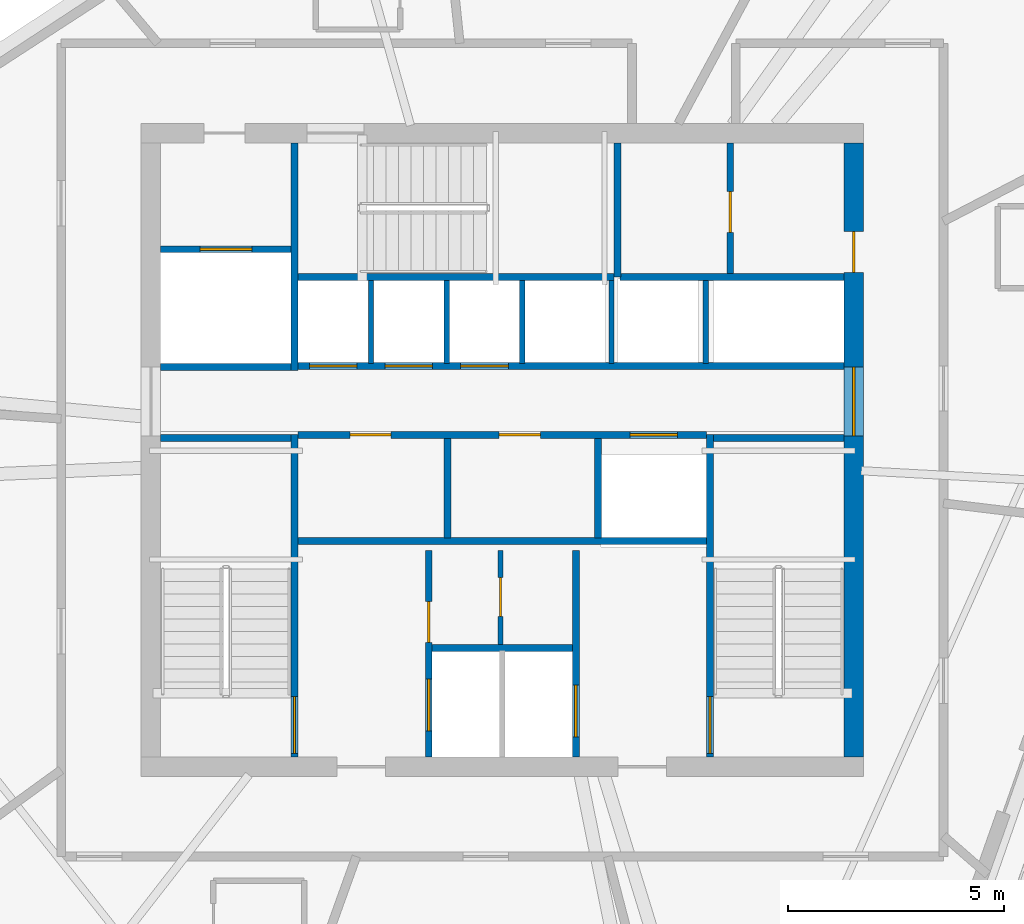
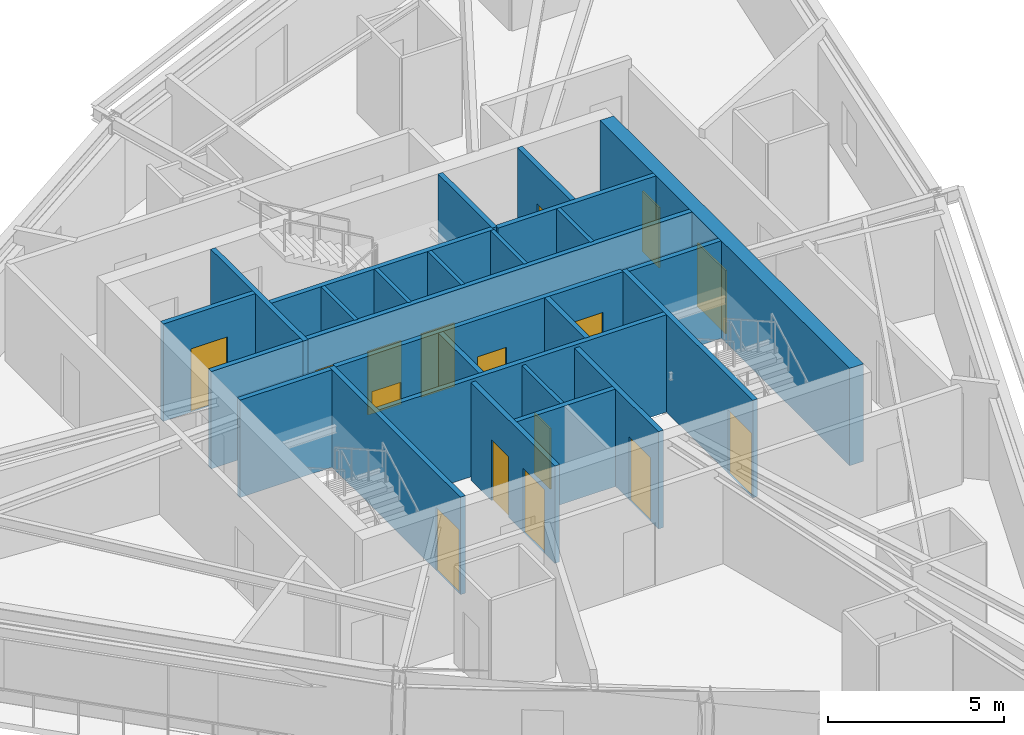
# One storey, part 8 of 13: 26 walls, 16 doors, 16 openings.
"""IFC4 building model written with IfcOpenShell, lengths in metres."""

from ifc_helpers import new_model, si_unit, direction, frame, frame_2d, origin, place, context, subcontext, project, spatial, rectangle, extrude, source, transform, mapped, material, layer, layer_set, type_object, type_shapes, element, fill, save


model = new_model("IFC4")

# Units and contexts
model_context = context("Model", 3, precision=1e-05, world=origin(), true_north=direction((0.0, 1.0)))
body_context = subcontext(model_context, "Body", "Model", "MODEL_VIEW")
ifc_project = project(units=[si_unit("LENGTHUNIT", "METRE"), si_unit("AREAUNIT", "SQUARE_METRE"), si_unit("VOLUMEUNIT", "CUBIC_METRE"), si_unit("PLANEANGLEUNIT", "RADIAN"), si_unit("MASSUNIT", "GRAM", prefix="KILO")], contexts=[model_context])

# Site, building, storey
site_placement = place(None, origin())
site = spatial("IfcSite", under=ifc_project, at=site_placement, CompositionType="ELEMENT")
building_placement = place(site_placement, origin())
building = spatial("IfcBuilding", under=site, at=building_placement, Name="Olszyna Solenne Hotel", CompositionType="ELEMENT")
storey_placement = place(building_placement, frame((0.0, 0.0, 248.89990234375)))
storey = spatial("IfcBuildingStorey", under=building, at=storey_placement, Name="L66", CompositionType="ELEMENT", Elevation=248.89990234375)

# Wall, openings, doors
ifc_material_1 = material(Name="Concrete C50/60", Category="concrete")
ifc_layer_1 = layer(ifc_material_1, 0.449951171875, Name="Concrete C50/60")
ifc_layer_set_1 = layer_set([ifc_layer_1], Name="Concrete C50/60")
wall_type_1 = type_object("IfcWallType", Name="WL-CR450", PredefinedType="SHEAR", material=ifc_layer_set_1)
wall_1_placement = place(storey_placement, frame((46.125, 33.699951171875, 0.0), z_axis=(0.0, 0.0, 1.0), x_axis=(0.0, -1.0, 0.0)))
wall_1 = element("IfcWall", 1, at=wall_1_placement, inside=storey, type_object=wall_type_1, Name="Core shear wall WL-CR450 CRW-L66-E", PredefinedType="SHEAR", context=body_context, shape_type="SweptSolid", body=[
    extrude(rectangle(XDim=14.199951171875, YDim=0.449951171875, at=frame_2d((7.10009765625, 0.0))), origin(), (0.0, 0.0, 1.0), 3.380126953125),
])
opening_1_placement = place(wall_1_placement, frame((5.179931640625, 0.0, 0.0)))
opening_1 = element("IfcOpeningElement", 2, at=opening_1_placement, cuts=wall_1, Name="Opening LHD-L66-E", PredefinedType="OPENING", context=body_context, shape_type="SweptSolid", body=[
    extrude(rectangle(XDim=1.60009765625, YDim=2.199951171875, at=frame_2d((0.800048828125, 1.10009765625))), frame((0.0, 0.23486328125, 0.0), z_axis=(0.0, -1.0, 0.0), x_axis=(1.0, 0.0, 0.0)), (0.0, 0.0, 1.0), 0.469970703125),
])
opening_2_placement = place(wall_1_placement, frame((2.050048828125, 0.0, 0.0)))
opening_2 = element("IfcOpeningElement", 3, at=opening_2_placement, cuts=wall_1, Name="Opening SVD-L66-BE", PredefinedType="OPENING", context=body_context, shape_type="SweptSolid", body=[
    extrude(rectangle(XDim=0.949951171875, YDim=2.10009765625, at=frame_2d((0.47509765625, 1.050048828125))), frame((0.0, 0.23486328125, 0.0), z_axis=(0.0, -1.0, 0.0), x_axis=(1.0, 0.0, 0.0)), (0.0, 0.0, 1.0), 0.469970703125),
])
ifc_material_2 = material(Name="Steel S355J2", Category="steel")
door_type_1 = type_object("IfcDoorType", Name="DR-SV1", OperationType="NOTDEFINED", PredefinedType="DOOR", material=ifc_material_2)
shared_shape_1 = source(origin(), body_context, "Body", "SweptSolid", [
    extrude(rectangle(XDim=0.949951171875, YDim=2.10009765625, at=frame_2d((0.47509765625, 1.050048828125))), frame((0.0, 0.02490234375, 0.0), z_axis=(0.0, -1.0, 0.0), x_axis=(1.0, 0.0, 0.0)), (0.0, 0.0, 1.0), 0.050048828125),
])
type_shapes(door_type_1, [shared_shape_1])
door_1_placement = place(opening_2_placement, origin())
door_1 = element("IfcDoor", 4, at=door_1_placement, inside=storey, type_object=door_type_1, Name="Housekeeping core fire door SVD-L66-BE", OperationType="SINGLE_SWING_RIGHT", OverallHeight=2.10009765625, OverallWidth=0.949951171875, PredefinedType="DOOR", context=body_context, shape_type="MappedRepresentation", body=[
    mapped(shared_shape_1, transform((0.0, 0.0, 0.0), x_axis=(1.0, 0.0, 0.0), y_axis=(0.0, 1.0, 0.0), z_axis=(0.0, 0.0, 1.0), scale=1.0)),
])
fill(opening_2, door_1)
ifc_material_3 = material(Name="Timber hardwood", Category="wood")
door_type_2 = type_object("IfcDoorType", Name="DR-CR1", OperationType="DOUBLE_DOOR_SINGLE_SWING", PredefinedType="DOOR", material=ifc_material_3)
shared_shape_2 = source(origin(), body_context, "Body", "SweptSolid", [
    extrude(rectangle(XDim=1.60009765625, YDim=2.199951171875, at=frame_2d((0.800048828125, 1.10009765625))), frame((0.0, 0.02490234375, 0.0), z_axis=(0.0, -1.0, 0.0), x_axis=(1.0, 0.0, 0.0)), (0.0, 0.0, 1.0), 0.050048828125),
])
type_shapes(door_type_2, [shared_shape_2])
door_2_placement = place(opening_1_placement, origin())
door_2 = element("IfcDoor", 5, at=door_2_placement, inside=storey, type_object=door_type_2, Name="Passenger lift lobby East fire door LHD-L66-E", OperationType="DOUBLE_DOOR_SINGLE_SWING", OverallHeight=2.199951171875, OverallWidth=1.60009765625, PredefinedType="DOOR", context=body_context, shape_type="MappedRepresentation", body=[
    mapped(shared_shape_2, transform((0.0, 0.0, 0.0), x_axis=(1.0, 0.0, 0.0), y_axis=(0.0, 1.0, 0.0), z_axis=(0.0, 0.0, 1.0), scale=1.0)),
])
fill(opening_1, door_2)

# Wall, opening, door
ifc_material_4 = material(Name="Acoustic gypsum partition", Category="gypsum")
ifc_layer_2 = layer(ifc_material_4, 0.125, Name="Acoustic gypsum partition")
ifc_layer_set_2 = layer_set([ifc_layer_2], Name="Acoustic gypsum partition")
wall_type_2 = type_object("IfcWallType", Name="WL-PT125", PredefinedType="PARTITIONING", material=ifc_layer_set_2)
wall_2_placement = place(storey_placement, frame((37.9599609375, 22.10009765625, 0.0), z_axis=(0.0, 0.0, 1.0), x_axis=(0.0, 1.0, 0.0)))
wall_2 = element("IfcWall", 6, at=wall_2_placement, inside=storey, type_object=wall_type_2, Name="Core shaft compartment wall CW-L66-SC1", PredefinedType="PARTITIONING", context=body_context, shape_type="SweptSolid", body=[
    extrude(rectangle(XDim=2.179931640625, YDim=0.125, at=frame_2d((1.08984375, 0.0))), origin(), (0.0, 0.0, 1.0), 3.380126953125),
])
opening_3_placement = place(wall_2_placement, frame((0.64990234375, 0.0, 0.0)))
opening_3 = element("IfcOpeningElement", 7, at=opening_3_placement, cuts=wall_2, Name="Opening SVD-L66-SC1", PredefinedType="OPENING", context=body_context, shape_type="SweptSolid", body=[
    extrude(rectangle(XDim=0.89990234375, YDim=2.10009765625, at=frame_2d((0.449951171875, 1.050048828125))), frame((0.0, 0.072509765625, 0.0), z_axis=(0.0, -1.0, 0.0), x_axis=(1.0, 0.0, 0.0)), (0.0, 0.0, 1.0), 0.14501953125),
])
door_type_3 = type_object("IfcDoorType", Name="DR-WC1", OperationType="NOTDEFINED", PredefinedType="DOOR", material=ifc_material_3)
shared_shape_3 = source(origin(), body_context, "Body", "SweptSolid", [
    extrude(rectangle(XDim=0.89990234375, YDim=2.10009765625, at=frame_2d((0.449951171875, 1.050048828125))), frame((0.0, 0.02490234375, 0.0), z_axis=(0.0, -1.0, 0.0), x_axis=(1.0, 0.0, 0.0)), (0.0, 0.0, 1.0), 0.050048828125),
])
type_shapes(door_type_3, [shared_shape_3])
door_3_placement = place(opening_3_placement, origin())
door_3 = element("IfcDoor", 8, at=door_3_placement, inside=storey, type_object=door_type_3, Name="Pantry locker door SVD-L66-SC1", OperationType="SINGLE_SWING_LEFT", OverallHeight=2.10009765625, OverallWidth=0.89990234375, PredefinedType="DOOR", context=body_context, shape_type="MappedRepresentation", body=[
    mapped(shared_shape_3, transform((0.0, 0.0, 0.0), x_axis=(1.0, 0.0, 0.0), y_axis=(0.0, 1.0, 0.0), z_axis=(0.0, 0.0, 1.0), scale=1.0)),
])
fill(opening_3, door_3)

# Walls
for number, where, z_axis, x_axis, name in (
    (9, (34.965087890625, 28.60009765625, 0.0), (0.0, 0.0, 1.0), (0.0, 1.0, 0.0), "Core shaft compartment wall CW-L66-DIVN349"),
    (10, (36.715087890625, 28.60009765625, 0.0), (0.0, 0.0, 1.0), (0.0, 1.0, 0.0), "Core shaft compartment wall CW-L66-DIVN367"),
    (11, (38.465087890625, 28.60009765625, 0.0), (0.0, 0.0, 1.0), (0.0, 1.0, 0.0), "Core shaft compartment wall CW-L66-DIVN384"),
    (12, (40.52490234375, 28.60009765625, 0.0), (0.0, 0.0, 1.0), (0.0, 1.0, 0.0), "Core shaft compartment wall CW-L66-DIVEX405"),
    (13, (42.699951171875, 28.60009765625, 0.0), (0.0, 0.0, 1.0), (0.0, 1.0, 0.0), "Core shaft compartment wall CW-L66-DIVEX427"),
):
    element("IfcWall", number, at=place(storey_placement, frame(where, z_axis=z_axis, x_axis=x_axis)), inside=storey, type_object=wall_type_2, Name=name, PredefinedType="PARTITIONING", context=body_context, shape_type="SweptSolid", body=[
        extrude(rectangle(XDim=1.919921875, YDim=0.125, at=frame_2d((0.9599609375, 0.0))), origin(), (0.0, 0.0, 1.0), 3.380126953125),
    ])

# Wall, opening, door
ifc_layer_3 = layer(ifc_material_4, 0.159912109375, Name="Acoustic gypsum partition")
ifc_layer_set_3 = layer_set([ifc_layer_3], Name="Acoustic gypsum partition")
wall_type_3 = type_object("IfcWallType", Name="WL-PT160", PredefinedType="PARTITIONING", material=ifc_layer_set_3)
wall_3_placement = place(storey_placement, frame((33.199951171875, 19.5, 0.0), z_axis=(0.0, 0.0, 1.0), x_axis=(0.0, 1.0, 0.0)))
wall_3 = element("IfcWall", 14, at=wall_3_placement, inside=storey, type_object=wall_type_3, Name="Core shaft compartment wall CW-L66-ST1E", PredefinedType="PARTITIONING", context=body_context, shape_type="SweptSolid", body=[
    extrude(rectangle(XDim=7.4599609375, YDim=0.159912109375, at=frame_2d((3.72998046875, 0.0))), origin(), (0.0, 0.0, 1.0), 3.380126953125),
])
opening_4_placement = place(wall_3_placement, frame((0.080078125, 0.0, 0.0)))
opening_4 = element("IfcOpeningElement", 15, at=opening_4_placement, cuts=wall_3, Name="Opening STD-L66-01", PredefinedType="OPENING", context=body_context, shape_type="SweptSolid", body=[
    extrude(rectangle(XDim=1.320068359375, YDim=2.199951171875, at=frame_2d((0.66015625, 1.10009765625))), frame((0.0, 0.08984375, 0.0), z_axis=(0.0, -1.0, 0.0), x_axis=(1.0, 0.0, 0.0)), (0.0, 0.0, 1.0), 0.179931640625),
])
door_type_4 = type_object("IfcDoorType", Name="DR-ST1", OperationType="NOTDEFINED", PredefinedType="DOOR", material=ifc_material_2)
shared_shape_4 = source(origin(), body_context, "Body", "SweptSolid", [
    extrude(rectangle(XDim=1.320068359375, YDim=2.199951171875, at=frame_2d((0.66015625, 1.10009765625))), frame((0.0, 0.02490234375, 0.0), z_axis=(0.0, -1.0, 0.0), x_axis=(1.0, 0.0, 0.0)), (0.0, 0.0, 1.0), 0.050048828125),
])
type_shapes(door_type_4, [shared_shape_4])
door_4_placement = place(opening_4_placement, origin())
door_4 = element("IfcDoor", 16, at=door_4_placement, inside=storey, type_object=door_type_4, Name="Pressurised exit stair ST1 fire door STD-L66-01", OperationType="SINGLE_SWING_LEFT", OverallHeight=2.199951171875, OverallWidth=1.320068359375, PredefinedType="DOOR", context=body_context, shape_type="MappedRepresentation", body=[
    mapped(shared_shape_4, transform((0.0, 0.0, 0.0), x_axis=(1.0, 0.0, 0.0), y_axis=(0.0, 1.0, 0.0), z_axis=(0.0, 0.0, 1.0), scale=1.0)),
])
fill(opening_4, door_4)

# Wall
wall_4_placement = place(storey_placement, frame((30.10009765625, 26.8798828125, 0.0), z_axis=(0.0, 0.0, 1.0), x_axis=(1.0, 0.0, 0.0)))
element("IfcWall", 17, at=wall_4_placement, inside=storey, type_object=wall_type_3, Name="Core shaft compartment wall CW-L66-ST1N", PredefinedType="PARTITIONING", context=body_context, shape_type="SweptSolid", body=[
    extrude(rectangle(XDim=3.02001953125, YDim=0.159912109375, at=frame_2d((1.510009765625, 0.0))), origin(), (0.0, 0.0, 1.0), 3.380126953125),
])

# Wall, opening, door
wall_5_placement = place(storey_placement, frame((42.800048828125, 26.9599609375, 0.0), z_axis=(0.0, 0.0, 1.0), x_axis=(0.0, -1.0, 0.0)))
wall_5 = element("IfcWall", 18, at=wall_5_placement, inside=storey, type_object=wall_type_3, Name="Core shaft compartment wall CW-L66-ST2W", PredefinedType="PARTITIONING", context=body_context, shape_type="SweptSolid", body=[
    extrude(rectangle(XDim=7.4599609375, YDim=0.159912109375, at=frame_2d((3.72998046875, 0.0))), origin(), (0.0, 0.0, 1.0), 3.380126953125),
])
opening_5_placement = place(wall_5_placement, frame((6.06005859375, 0.0, 0.0)))
opening_5 = element("IfcOpeningElement", 19, at=opening_5_placement, cuts=wall_5, Name="Opening STD-L66-02", PredefinedType="OPENING", context=body_context, shape_type="SweptSolid", body=[
    extrude(rectangle(XDim=1.320068359375, YDim=2.199951171875, at=frame_2d((0.66015625, 1.10009765625))), frame((0.0, 0.08984375, 0.0), z_axis=(0.0, -1.0, 0.0), x_axis=(1.0, 0.0, 0.0)), (0.0, 0.0, 1.0), 0.179931640625),
])
door_5_placement = place(opening_5_placement, origin())
door_5 = element("IfcDoor", 20, at=door_5_placement, inside=storey, type_object=door_type_4, Name="Pressurised exit stair ST2 fire door STD-L66-02", OperationType="SINGLE_SWING_RIGHT", OverallHeight=2.199951171875, OverallWidth=1.320068359375, PredefinedType="DOOR", context=body_context, shape_type="MappedRepresentation", body=[
    mapped(shared_shape_4, transform((0.0, 0.0, 0.0), x_axis=(1.0, 0.0, 0.0), y_axis=(0.0, 1.0, 0.0), z_axis=(0.0, 0.0, 1.0), scale=1.0)),
])
fill(opening_5, door_5)

# Walls
wall_6_placement = place(storey_placement, frame((42.8798828125, 26.8798828125, 0.0), z_axis=(0.0, 0.0, 1.0), x_axis=(1.0, 0.0, 0.0)))
element("IfcWall", 21, at=wall_6_placement, inside=storey, type_object=wall_type_3, Name="Core shaft compartment wall CW-L66-ST2N", PredefinedType="PARTITIONING", context=body_context, shape_type="SweptSolid", body=[
    extrude(rectangle(XDim=3.02001953125, YDim=0.159912109375, at=frame_2d((1.510009765625, 0.0))), origin(), (0.0, 0.0, 1.0), 3.380126953125),
])
wall_7_placement = place(storey_placement, frame((33.280029296875, 30.60009765625, 0.0), z_axis=(0.0, 0.0, 1.0), x_axis=(1.0, 0.0, 0.0)))
element("IfcWall", 22, at=wall_7_placement, inside=storey, type_object=wall_type_3, Name="Core shaft compartment wall CW-L66-ST3S", PredefinedType="PARTITIONING", context=body_context, shape_type="SweptSolid", body=[
    extrude(rectangle(XDim=7.300048828125, YDim=0.159912109375, at=frame_2d((3.64990234375, 0.0))), origin(), (0.0, 0.0, 1.0), 3.380126953125),
])
wall_8_placement = place(storey_placement, frame((40.659912109375, 30.60009765625, 0.0), z_axis=(0.0, 0.0, 1.0), x_axis=(0.0, 1.0, 0.0)))
element("IfcWall", 23, at=wall_8_placement, inside=storey, type_object=wall_type_3, Name="Core shaft compartment wall CW-L66-ST3E", PredefinedType="PARTITIONING", context=body_context, shape_type="SweptSolid", body=[
    extrude(rectangle(XDim=3.099853515625, YDim=0.159912109375, at=frame_2d((1.5498046875, 0.0))), origin(), (0.0, 0.0, 1.0), 3.380126953125),
])

# Wall, openings, doors
wall_9_placement = place(storey_placement, frame((36.300048828125, 19.5, 0.0), z_axis=(0.0, 0.0, 1.0), x_axis=(0.0, 1.0, 0.0)))
wall_9 = element("IfcWall", 24, at=wall_9_placement, inside=storey, type_object=wall_type_3, Name="Core shaft compartment wall CW-L66-FF1W", PredefinedType="PARTITIONING", context=body_context, shape_type="SweptSolid", body=[
    extrude(rectangle(XDim=4.780029296875, YDim=0.159912109375, at=frame_2d((2.39013671875, 0.0))), origin(), (0.0, 0.0, 1.0), 3.380126953125),
])
opening_6_placement = place(wall_9_placement, frame((0.60009765625, 0.0, 0.0)))
opening_6 = element("IfcOpeningElement", 25, at=opening_6_placement, cuts=wall_9, Name="Opening LD-L66-FF1", PredefinedType="OPENING", context=body_context, shape_type="SweptSolid", body=[
    extrude(rectangle(XDim=1.199951171875, YDim=2.199951171875, at=frame_2d((0.60009765625, 1.10009765625))), frame((0.0, 0.08984375, 0.0), z_axis=(0.0, -1.0, 0.0), x_axis=(1.0, 0.0, 0.0)), (0.0, 0.0, 1.0), 0.179931640625),
])
opening_7_placement = place(wall_9_placement, frame((2.64990234375, 0.0, 0.0)))
opening_7 = element("IfcOpeningElement", 26, at=opening_7_placement, cuts=wall_9, Name="Opening SVD-L66-SMK", PredefinedType="OPENING", context=body_context, shape_type="SweptSolid", body=[
    extrude(rectangle(XDim=0.949951171875, YDim=2.10009765625, at=frame_2d((0.47509765625, 1.050048828125))), frame((0.0, 0.08984375, 0.0), z_axis=(0.0, -1.0, 0.0), x_axis=(1.0, 0.0, 0.0)), (0.0, 0.0, 1.0), 0.179931640625),
])
door_6_placement = place(opening_7_placement, origin())
door_6 = element("IfcDoor", 27, at=door_6_placement, inside=storey, type_object=door_type_1, Name="Valet and core service room door SVD-L66-SMK", OperationType="SINGLE_SWING_LEFT", OverallHeight=2.10009765625, OverallWidth=0.949951171875, PredefinedType="DOOR", context=body_context, shape_type="MappedRepresentation", body=[
    mapped(shared_shape_1, transform((0.0, 0.0, 0.0), x_axis=(1.0, 0.0, 0.0), y_axis=(0.0, 1.0, 0.0), z_axis=(0.0, 0.0, 1.0), scale=1.0)),
])
fill(opening_7, door_6)
door_type_5 = type_object("IfcDoorType", Name="LD-FF1", OperationType="DOUBLE_DOOR_SLIDING", PredefinedType="DOOR", material=ifc_material_2)
shared_shape_5 = source(origin(), body_context, "Body", "SweptSolid", [
    extrude(rectangle(XDim=1.199951171875, YDim=2.199951171875, at=frame_2d((0.60009765625, 1.10009765625))), frame((0.0, 0.02490234375, 0.0), z_axis=(0.0, -1.0, 0.0), x_axis=(1.0, 0.0, 0.0)), (0.0, 0.0, 1.0), 0.050048828125),
])
type_shapes(door_type_5, [shared_shape_5])
door_7_placement = place(opening_6_placement, origin())
door_7 = element("IfcDoor", 28, at=door_7_placement, inside=storey, type_object=door_type_5, Name="Firefighters lift FF1 sliding landing door LD-L66-FF1", OperationType="DOUBLE_DOOR_SLIDING", OverallHeight=2.199951171875, OverallWidth=1.199951171875, PredefinedType="DOOR", context=body_context, shape_type="MappedRepresentation", body=[
    mapped(shared_shape_5, transform((0.0, 0.0, 0.0), x_axis=(1.0, 0.0, 0.0), y_axis=(0.0, 1.0, 0.0), z_axis=(0.0, 0.0, 1.0), scale=1.0)),
])
fill(opening_6, door_7)

# Wall, opening, door
wall_10_placement = place(storey_placement, frame((39.699951171875, 24.280029296875, 0.0), z_axis=(0.0, 0.0, 1.0), x_axis=(0.0, -1.0, 0.0)))
wall_10 = element("IfcWall", 29, at=wall_10_placement, inside=storey, type_object=wall_type_3, Name="Core shaft compartment wall CW-L66-FF2E", PredefinedType="PARTITIONING", context=body_context, shape_type="SweptSolid", body=[
    extrude(rectangle(XDim=4.780029296875, YDim=0.159912109375, at=frame_2d((2.39013671875, 0.0))), origin(), (0.0, 0.0, 1.0), 3.380126953125),
])
opening_8_placement = place(wall_10_placement, frame((3.1201171875, 0.0, 0.0)))
opening_8 = element("IfcOpeningElement", 30, at=opening_8_placement, cuts=wall_10, Name="Opening LD-L66-FF2", PredefinedType="OPENING", context=body_context, shape_type="SweptSolid", body=[
    extrude(rectangle(XDim=1.199951171875, YDim=2.199951171875, at=frame_2d((0.60009765625, 1.10009765625))), frame((0.0, 0.08984375, 0.0), z_axis=(0.0, -1.0, 0.0), x_axis=(1.0, 0.0, 0.0)), (0.0, 0.0, 1.0), 0.179931640625),
])
door_8_placement = place(opening_8_placement, origin())
door_8 = element("IfcDoor", 31, at=door_8_placement, inside=storey, type_object=door_type_5, Name="Firefighters lift FF2 sliding landing door LD-L66-FF2", OperationType="DOUBLE_DOOR_SLIDING", OverallHeight=2.199951171875, OverallWidth=1.199951171875, PredefinedType="DOOR", context=body_context, shape_type="MappedRepresentation", body=[
    mapped(shared_shape_5, transform((0.0, 0.0, 0.0), x_axis=(1.0, 0.0, 0.0), y_axis=(0.0, 1.0, 0.0), z_axis=(0.0, 0.0, 1.0), scale=1.0)),
])
fill(opening_8, door_8)

# Walls
wall_11_placement = place(storey_placement, frame((36.3798828125, 22.02001953125, 0.0), z_axis=(0.0, 0.0, 1.0), x_axis=(1.0, 0.0, 0.0)))
element("IfcWall", 32, at=wall_11_placement, inside=storey, type_object=wall_type_3, Name="Core shaft compartment wall CW-L66-FFN", PredefinedType="PARTITIONING", context=body_context, shape_type="SweptSolid", body=[
    extrude(rectangle(XDim=3.240234375, YDim=0.159912109375, at=frame_2d((1.6201171875, 0.0))), origin(), (0.0, 0.0, 1.0), 3.380126953125),
])
wall_12_placement = place(storey_placement, frame((33.280029296875, 24.489990234375, 0.0), z_axis=(0.0, 0.0, 1.0), x_axis=(1.0, 0.0, 0.0)))
element("IfcWall", 33, at=wall_12_placement, inside=storey, type_object=wall_type_3, Name="Core shaft compartment wall CW-L66-FFBN", PredefinedType="PARTITIONING", context=body_context, shape_type="SweptSolid", body=[
    extrude(rectangle(XDim=9.43994140625, YDim=0.159912109375, at=frame_2d((4.719970703125, 0.0))), origin(), (0.0, 0.0, 1.0), 3.380126953125),
])
wall_13_placement = place(storey_placement, frame((30.10009765625, 28.52001953125, 0.0), z_axis=(0.0, 0.0, 1.0), x_axis=(1.0, 0.0, 0.0)))
element("IfcWall", 34, at=wall_13_placement, inside=storey, type_object=wall_type_3, Name="Core shaft compartment wall CW-L66-SV1S", PredefinedType="PARTITIONING", context=body_context, shape_type="SweptSolid", body=[
    extrude(rectangle(XDim=3.02001953125, YDim=0.159912109375, at=frame_2d((1.510009765625, 0.0))), origin(), (0.0, 0.0, 1.0), 3.380126953125),
])
wall_14_placement = place(storey_placement, frame((33.199951171875, 28.43994140625, 0.0), z_axis=(0.0, 0.0, 1.0), x_axis=(0.0, 1.0, 0.0)))
element("IfcWall", 35, at=wall_14_placement, inside=storey, type_object=wall_type_3, Name="Core shaft compartment wall CW-L66-SV1E", PredefinedType="PARTITIONING", context=body_context, shape_type="SweptSolid", body=[
    extrude(rectangle(XDim=5.260009765625, YDim=0.159912109375, at=frame_2d((2.6298828125, 0.0))), origin(), (0.0, 0.0, 1.0), 3.380126953125),
])

# Wall, opening, door
wall_15_placement = place(storey_placement, frame((30.10009765625, 31.239990234375, 0.0), z_axis=(0.0, 0.0, 1.0), x_axis=(1.0, 0.0, 0.0)))
wall_15 = element("IfcWall", 36, at=wall_15_placement, inside=storey, type_object=wall_type_3, Name="Core shaft compartment wall CW-L66-SV1N", PredefinedType="PARTITIONING", context=body_context, shape_type="SweptSolid", body=[
    extrude(rectangle(XDim=3.02001953125, YDim=0.159912109375, at=frame_2d((1.510009765625, 0.0))), origin(), (0.0, 0.0, 1.0), 3.380126953125),
])
opening_9_placement = place(wall_15_placement, frame((0.909912109375, 0.0, 0.0)))
opening_9 = element("IfcOpeningElement", 37, at=opening_9_placement, cuts=wall_15, Name="Opening LD-L66-SV1", PredefinedType="OPENING", context=body_context, shape_type="SweptSolid", body=[
    extrude(rectangle(XDim=1.199951171875, YDim=2.199951171875, at=frame_2d((0.60009765625, 1.10009765625))), frame((0.0, 0.08984375, 0.0), z_axis=(0.0, -1.0, 0.0), x_axis=(1.0, 0.0, 0.0)), (0.0, 0.0, 1.0), 0.179931640625),
])
door_9_placement = place(opening_9_placement, origin())
door_9 = element("IfcDoor", 38, at=door_9_placement, inside=storey, type_object=door_type_5, Name="Service lift SV1 sliding landing door LD-L66-SV1", OperationType="DOUBLE_DOOR_SLIDING", OverallHeight=2.199951171875, OverallWidth=1.199951171875, PredefinedType="DOOR", context=body_context, shape_type="MappedRepresentation", body=[
    mapped(shared_shape_5, transform((0.0, 0.0, 0.0), x_axis=(1.0, 0.0, 0.0), y_axis=(0.0, 1.0, 0.0), z_axis=(0.0, 0.0, 1.0), scale=1.0)),
])
fill(opening_9, door_9)

# Wall, openings, doors
wall_16_placement = place(storey_placement, frame((33.280029296875, 26.949951171875, 0.0), z_axis=(0.0, 0.0, 1.0), x_axis=(1.0, 0.0, 0.0)))
wall_16 = element("IfcWall", 39, at=wall_16_placement, inside=storey, type_object=wall_type_3, Name="Core shaft compartment wall CW-L66-LRS", PredefinedType="PARTITIONING", context=body_context, shape_type="SweptSolid", body=[
    extrude(rectangle(XDim=9.43994140625, YDim=0.159912109375, at=frame_2d((4.719970703125, 0.0))), origin(), (0.0, 0.0, 1.0), 3.380126953125),
])
opening_10_placement = place(wall_16_placement, frame((1.199951171875, 0.0, 0.0)))
opening_10 = element("IfcOpeningElement", 40, at=opening_10_placement, cuts=wall_16, Name="Opening SVD-L66-L71", PredefinedType="OPENING", context=body_context, shape_type="SweptSolid", body=[
    extrude(rectangle(XDim=0.949951171875, YDim=2.10009765625, at=frame_2d((0.47509765625, 1.050048828125))), frame((0.0, 0.08984375, 0.0), z_axis=(0.0, -1.0, 0.0), x_axis=(1.0, 0.0, 0.0)), (0.0, 0.0, 1.0), 0.179931640625),
])
opening_11_placement = place(wall_16_placement, frame((4.64990234375, 0.0, 0.0)))
opening_11 = element("IfcOpeningElement", 41, at=opening_11_placement, cuts=wall_16, Name="Opening SVD-L66-L72", PredefinedType="OPENING", context=body_context, shape_type="SweptSolid", body=[
    extrude(rectangle(XDim=0.949951171875, YDim=2.10009765625, at=frame_2d((0.47509765625, 1.050048828125))), frame((0.0, 0.08984375, 0.0), z_axis=(0.0, -1.0, 0.0), x_axis=(1.0, 0.0, 0.0)), (0.0, 0.0, 1.0), 0.179931640625),
])
opening_12_placement = place(wall_16_placement, frame((7.669921875, 0.0, 0.0)))
opening_12 = element("IfcOpeningElement", 42, at=opening_12_placement, cuts=wall_16, Name="Opening LD-L66-PL5", PredefinedType="OPENING", context=body_context, shape_type="SweptSolid", body=[
    extrude(rectangle(XDim=1.10009765625, YDim=2.199951171875, at=frame_2d((0.550048828125, 1.10009765625))), frame((0.0, 0.08984375, 0.0), z_axis=(0.0, -1.0, 0.0), x_axis=(1.0, 0.0, 0.0)), (0.0, 0.0, 1.0), 0.179931640625),
])
door_10_placement = place(opening_10_placement, origin())
door_10 = element("IfcDoor", 43, at=door_10_placement, inside=storey, type_object=door_type_1, Name="Recaptured core room fire door SVD-L66-L71", OperationType="SINGLE_SWING_LEFT", OverallHeight=2.10009765625, OverallWidth=0.949951171875, PredefinedType="DOOR", context=body_context, shape_type="MappedRepresentation", body=[
    mapped(shared_shape_1, transform((0.0, 0.0, 0.0), x_axis=(1.0, 0.0, 0.0), y_axis=(0.0, 1.0, 0.0), z_axis=(0.0, 0.0, 1.0), scale=1.0)),
])
fill(opening_10, door_10)
door_11_placement = place(opening_11_placement, origin())
door_11 = element("IfcDoor", 44, at=door_11_placement, inside=storey, type_object=door_type_1, Name="Recaptured core room fire door SVD-L66-L72", OperationType="SINGLE_SWING_RIGHT", OverallHeight=2.10009765625, OverallWidth=0.949951171875, PredefinedType="DOOR", context=body_context, shape_type="MappedRepresentation", body=[
    mapped(shared_shape_1, transform((0.0, 0.0, 0.0), x_axis=(1.0, 0.0, 0.0), y_axis=(0.0, 1.0, 0.0), z_axis=(0.0, 0.0, 1.0), scale=1.0)),
])
fill(opening_11, door_11)
door_type_6 = type_object("IfcDoorType", Name="LD-P1", OperationType="DOUBLE_DOOR_SLIDING", PredefinedType="DOOR", material=ifc_material_2)
shared_shape_6 = source(origin(), body_context, "Body", "SweptSolid", [
    extrude(rectangle(XDim=1.10009765625, YDim=2.199951171875, at=frame_2d((0.550048828125, 1.10009765625))), frame((0.0, 0.02490234375, 0.0), z_axis=(0.0, -1.0, 0.0), x_axis=(1.0, 0.0, 0.0)), (0.0, 0.0, 1.0), 0.050048828125),
])
type_shapes(door_type_6, [shared_shape_6])
door_12_placement = place(opening_12_placement, origin())
door_12 = element("IfcDoor", 45, at=door_12_placement, inside=storey, type_object=door_type_6, Name="Passenger lift PL5 sliding landing door LD-L66-PL5", OperationType="DOUBLE_DOOR_SLIDING", OverallHeight=2.199951171875, OverallWidth=1.10009765625, PredefinedType="DOOR", context=body_context, shape_type="MappedRepresentation", body=[
    mapped(shared_shape_6, transform((0.0, 0.0, 0.0), x_axis=(1.0, 0.0, 0.0), y_axis=(0.0, 1.0, 0.0), z_axis=(0.0, 0.0, 1.0), scale=1.0)),
])
fill(opening_12, door_12)

# Walls
for number, where, z_axis, x_axis, name in (
    (46, (36.72998046875, 24.56005859375, 0.0), (0.0, 0.0, 1.0), (0.0, 1.0, 0.0), "Core shaft compartment wall CW-L66-LV7DIV1"),
    (47, (40.215087890625, 24.56005859375, 0.0), (0.0, 0.0, 1.0), (0.0, 1.0, 0.0), "Core shaft compartment wall CW-L66-LV7DIV2"),
):
    element("IfcWall", number, at=place(storey_placement, frame(where, z_axis=z_axis, x_axis=x_axis)), inside=storey, type_object=wall_type_3, Name=name, PredefinedType="PARTITIONING", context=body_context, shape_type="SweptSolid", body=[
        extrude(rectangle(XDim=2.31005859375, YDim=0.159912109375, at=frame_2d((1.155029296875, 0.0))), origin(), (0.0, 0.0, 1.0), 3.380126953125),
    ])

# Wall, openings, doors
wall_17_placement = place(storey_placement, frame((33.280029296875, 28.5400390625, 0.0), z_axis=(0.0, 0.0, 1.0), x_axis=(1.0, 0.0, 0.0)))
wall_17 = element("IfcWall", 48, at=wall_17_placement, inside=storey, type_object=wall_type_3, Name="Core shaft compartment wall CW-L66-LRN", PredefinedType="PARTITIONING", context=body_context, shape_type="SweptSolid", body=[
    extrude(rectangle(XDim=12.619873046875, YDim=0.159912109375, at=frame_2d((6.31005859375, 0.0))), origin(), (0.0, 0.0, 1.0), 3.380126953125),
])
opening_13_placement = place(wall_17_placement, frame((0.260009765625, 0.0, 0.0)))
opening_13 = element("IfcOpeningElement", 49, at=opening_13_placement, cuts=wall_17, Name="Opening LD-L66-PL6", PredefinedType="OPENING", context=body_context, shape_type="SweptSolid", body=[
    extrude(rectangle(XDim=1.10009765625, YDim=2.199951171875, at=frame_2d((0.550048828125, 1.10009765625))), frame((0.0, 0.08984375, 0.0), z_axis=(0.0, -1.0, 0.0), x_axis=(1.0, 0.0, 0.0)), (0.0, 0.0, 1.0), 0.179931640625),
])
opening_14_placement = place(wall_17_placement, frame((2.010009765625, 0.0, 0.0)))
opening_14 = element("IfcOpeningElement", 50, at=opening_14_placement, cuts=wall_17, Name="Opening LD-L66-PL7", PredefinedType="OPENING", context=body_context, shape_type="SweptSolid", body=[
    extrude(rectangle(XDim=1.10009765625, YDim=2.199951171875, at=frame_2d((0.550048828125, 1.10009765625))), frame((0.0, 0.08984375, 0.0), z_axis=(0.0, -1.0, 0.0), x_axis=(1.0, 0.0, 0.0)), (0.0, 0.0, 1.0), 0.179931640625),
])
opening_15_placement = place(wall_17_placement, frame((3.760009765625, 0.0, 0.0)))
opening_15 = element("IfcOpeningElement", 51, at=opening_15_placement, cuts=wall_17, Name="Opening LD-L66-PL8", PredefinedType="OPENING", context=body_context, shape_type="SweptSolid", body=[
    extrude(rectangle(XDim=1.10009765625, YDim=2.199951171875, at=frame_2d((0.550048828125, 1.10009765625))), frame((0.0, 0.08984375, 0.0), z_axis=(0.0, -1.0, 0.0), x_axis=(1.0, 0.0, 0.0)), (0.0, 0.0, 1.0), 0.179931640625),
])
door_13_placement = place(opening_13_placement, origin())
door_13 = element("IfcDoor", 52, at=door_13_placement, inside=storey, type_object=door_type_6, Name="Passenger lift PL6 sliding landing door LD-L66-PL6", OperationType="DOUBLE_DOOR_SLIDING", OverallHeight=2.199951171875, OverallWidth=1.10009765625, PredefinedType="DOOR", context=body_context, shape_type="MappedRepresentation", body=[
    mapped(shared_shape_6, transform((0.0, 0.0, 0.0), x_axis=(1.0, 0.0, 0.0), y_axis=(0.0, 1.0, 0.0), z_axis=(0.0, 0.0, 1.0), scale=1.0)),
])
fill(opening_13, door_13)
door_14_placement = place(opening_14_placement, origin())
door_14 = element("IfcDoor", 53, at=door_14_placement, inside=storey, type_object=door_type_6, Name="Passenger lift PL7 sliding landing door LD-L66-PL7", OperationType="DOUBLE_DOOR_SLIDING", OverallHeight=2.199951171875, OverallWidth=1.10009765625, PredefinedType="DOOR", context=body_context, shape_type="MappedRepresentation", body=[
    mapped(shared_shape_6, transform((0.0, 0.0, 0.0), x_axis=(1.0, 0.0, 0.0), y_axis=(0.0, 1.0, 0.0), z_axis=(0.0, 0.0, 1.0), scale=1.0)),
])
fill(opening_14, door_14)
door_15_placement = place(opening_15_placement, origin())
door_15 = element("IfcDoor", 54, at=door_15_placement, inside=storey, type_object=door_type_6, Name="Passenger lift PL8 sliding landing door LD-L66-PL8", OperationType="DOUBLE_DOOR_SLIDING", OverallHeight=2.199951171875, OverallWidth=1.10009765625, PredefinedType="DOOR", context=body_context, shape_type="MappedRepresentation", body=[
    mapped(shared_shape_6, transform((0.0, 0.0, 0.0), x_axis=(1.0, 0.0, 0.0), y_axis=(0.0, 1.0, 0.0), z_axis=(0.0, 0.0, 1.0), scale=1.0)),
])
fill(opening_15, door_15)

# Wall
wall_18_placement = place(storey_placement, frame((40.719970703125, 30.60009765625, 0.0), z_axis=(0.0, 0.0, 1.0), x_axis=(1.0, 0.0, 0.0)))
element("IfcWall", 55, at=wall_18_placement, inside=storey, type_object=wall_type_3, Name="Core shaft compartment wall CW-L66-LRNTOP", PredefinedType="PARTITIONING", context=body_context, shape_type="SweptSolid", body=[
    extrude(rectangle(XDim=5.179931640625, YDim=0.159912109375, at=frame_2d((2.58984375, 0.0))), origin(), (0.0, 0.0, 1.0), 3.380126953125),
])

# Wall, opening, door
wall_19_placement = place(storey_placement, frame((43.27001953125, 30.679931640625, 0.0), z_axis=(0.0, 0.0, 1.0), x_axis=(0.0, 1.0, 0.0)))
wall_19 = element("IfcWall", 56, at=wall_19_placement, inside=storey, type_object=wall_type_3, Name="Core shaft compartment wall CW-L66-BOH1", PredefinedType="PARTITIONING", context=body_context, shape_type="SweptSolid", body=[
    extrude(rectangle(XDim=3.02001953125, YDim=0.159912109375, at=frame_2d((1.510009765625, 0.0))), origin(), (0.0, 0.0, 1.0), 3.380126953125),
])
opening_16_placement = place(wall_19_placement, frame((0.949951171875, 0.0, 0.0)))
opening_16 = element("IfcOpeningElement", 57, at=opening_16_placement, cuts=wall_19, Name="Opening SVD-L66-BI1", PredefinedType="OPENING", context=body_context, shape_type="SweptSolid", body=[
    extrude(rectangle(XDim=0.949951171875, YDim=2.10009765625, at=frame_2d((0.47509765625, 1.050048828125))), frame((0.0, 0.08984375, 0.0), z_axis=(0.0, -1.0, 0.0), x_axis=(1.0, 0.0, 0.0)), (0.0, 0.0, 1.0), 0.179931640625),
])
door_16_placement = place(opening_16_placement, origin())
door_16 = element("IfcDoor", 58, at=door_16_placement, inside=storey, type_object=door_type_1, Name="BOH inter-room fire door SVD-L66-BI1", OperationType="SINGLE_SWING_LEFT", OverallHeight=2.10009765625, OverallWidth=0.949951171875, PredefinedType="DOOR", context=body_context, shape_type="MappedRepresentation", body=[
    mapped(shared_shape_1, transform((0.0, 0.0, 0.0), x_axis=(1.0, 0.0, 0.0), y_axis=(0.0, 1.0, 0.0), z_axis=(0.0, 0.0, 1.0), scale=1.0)),
])
fill(opening_16, door_16)

save(model, "model.ifc")
